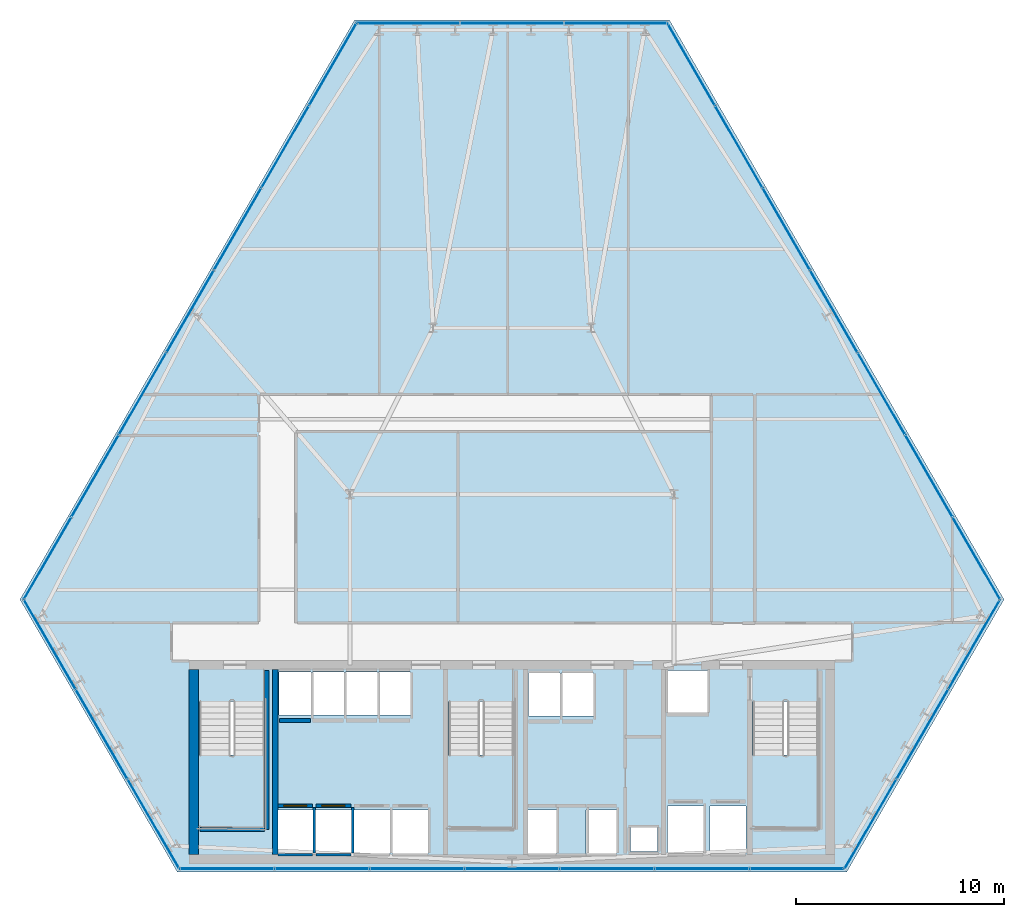
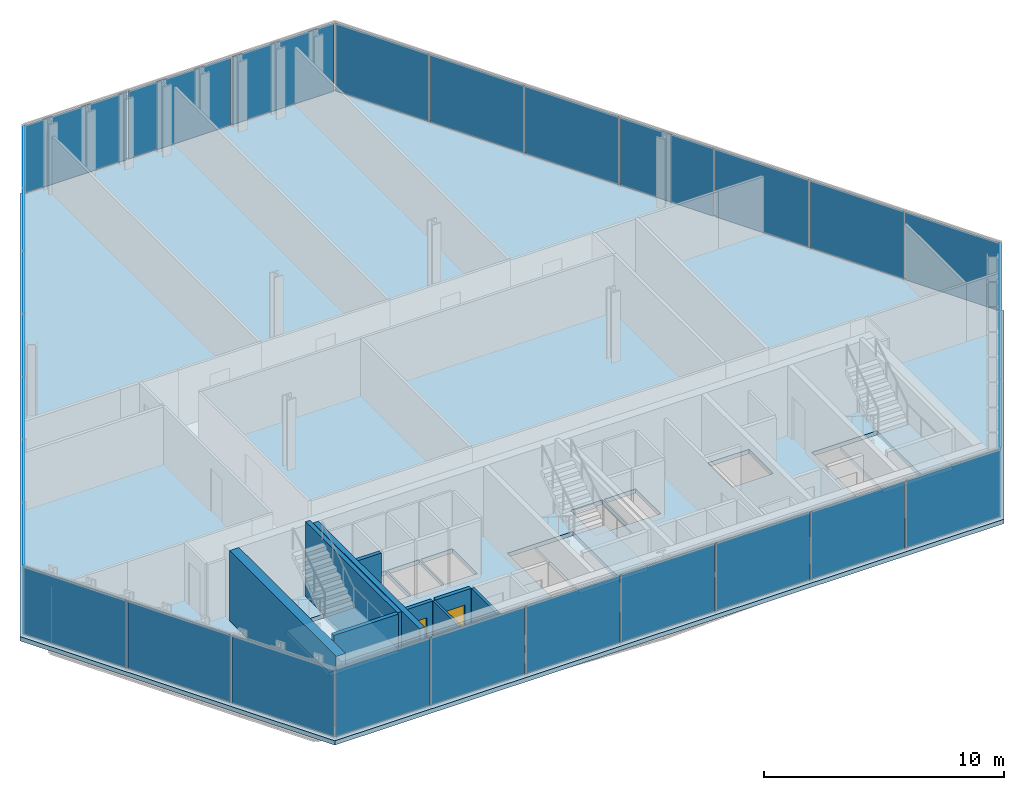
# One storey, part 26 of 32: 30 plates, 11 walls, 4 slabs, 2 doors, 2 openings, 9 elements without a shape of their own.
"""IFC4 building model written with IfcOpenShell, lengths in metres."""

from ifc_helpers import new_model, si_unit, direction, frame, frame_2d, origin, origin_2d, place, context, subcontext, project, spatial, polyline, rectangle, outline, extrude, material, layer, layer_set, type_object, element, fill, aggregate, save


model = new_model("IFC4")

# Units and contexts
model_context = context("Model", 3, precision=1e-05, world=origin(), true_north=direction((0.0, 1.0)))
body_context = subcontext(model_context, "Body", "Model", "MODEL_VIEW")
ifc_project = project(units=[si_unit("LENGTHUNIT", "METRE"), si_unit("AREAUNIT", "SQUARE_METRE"), si_unit("VOLUMEUNIT", "CUBIC_METRE"), si_unit("PLANEANGLEUNIT", "RADIAN"), si_unit("MASSUNIT", "GRAM", prefix="KILO")], contexts=[model_context])

# Site, building, storey
site_placement = place(None, origin())
site = spatial("IfcSite", under=ifc_project, at=site_placement, CompositionType="ELEMENT")
building_placement = place(site_placement, origin())
building = spatial("IfcBuilding", under=site, at=building_placement, Name="Ndaravel Arena Tower", CompositionType="ELEMENT")
storey_placement = place(building_placement, frame((0.0, 0.0, 74.0)))
storey = spatial("IfcBuildingStorey", under=building, at=storey_placement, Name="L16", CompositionType="ELEMENT", Elevation=74.0)

# Curtain wall, plate
ifc_material_1 = material(Name="Aluminium", Category="aluminium")
ifc_layer_1 = layer(ifc_material_1, 0.179931640625)
ifc_layer_set_1 = layer_set([ifc_layer_1], Name="Aluminium")
curtain_wall_type_1 = type_object("IfcCurtainWallType", Name="CW-SYS-01", PredefinedType="NOTDEFINED", material=ifc_layer_set_1)
curtain_wall_1_placement = place(storey_placement, origin())
curtain_wall_1 = element("IfcCurtainWall", 1, at=curtain_wall_1_placement, inside=storey, type_object=curtain_wall_type_1, Name="L16 Faceted Crystal Curtain Wall CW-L16-E02", PredefinedType="NOTDEFINED")
ifc_material_2 = material(Name="Glazing", Category="glass")
ifc_layer_2 = layer(ifc_material_2, 0.035888671875)
ifc_layer_set_2 = layer_set([ifc_layer_2], Name="Glazing")
plate_type_1 = type_object("IfcPlateType", Name="PLT-CW-OPVENT", PredefinedType="CURTAIN_PANEL", material=ifc_layer_set_2)
plate_1_placement = place(storey_placement, frame((61.758056640625, 11.6435546875, 0.06005859375), z_axis=(0.0, 0.0, 1.0), x_axis=(0.5, 0.866025403784, 0.0)))
plate_1 = element("IfcPlate", 2, at=plate_1_placement, type_object=plate_type_1, Name="CW-L16-E02 Operable Vent Sash Panel 02", PredefinedType="CURTAIN_PANEL", context=body_context, shape_type="SweptSolid", body=[
    extrude(rectangle(XDim=4.910888671875, YDim=0.035888671875, at=origin_2d()), origin(), (0.0, 0.0, 1.0), 3.4599609375),
])

curtain_wall_2_placement = place(storey_placement, origin())
curtain_wall_2 = element("IfcCurtainWall", 3, at=curtain_wall_2_placement, inside=storey, type_object=curtain_wall_type_1, Name="L16 Faceted Crystal Curtain Wall CW-L16-E04", PredefinedType="NOTDEFINED")
plate_2_placement = place(storey_placement, frame((42.0, 45.865478515625, 0.06005859375), z_axis=(0.0, 0.0, 1.0), x_axis=(-1.0, 0.0, 0.0)))
plate_2 = element("IfcPlate", 4, at=plate_2_placement, type_object=plate_type_1, Name="CW-L16-E04 Operable Vent Sash Panel 02", PredefinedType="CURTAIN_PANEL", context=body_context, shape_type="SweptSolid", body=[
    extrude(rectangle(XDim=4.9111328125, YDim=0.035888671875, at=origin_2d()), origin(), (0.0, 0.0, 1.0), 3.4599609375),
])

ifc_material_3 = material(Name="Aluminium", Category="aluminium")
ifc_layer_3 = layer(ifc_material_3, 0.179931640625)
ifc_layer_set_3 = layer_set([ifc_layer_3], Name="Aluminium")
curtain_wall_type_2 = type_object("IfcCurtainWallType", Name="CW-SYS-02", PredefinedType="NOTDEFINED", material=ifc_layer_set_3)
curtain_wall_3_placement = place(storey_placement, origin())
curtain_wall_3 = element("IfcCurtainWall", 5, at=curtain_wall_3_placement, inside=storey, type_object=curtain_wall_type_2, Name="L16 Faceted Crystal Curtain Wall CW-L16-E06", PredefinedType="NOTDEFINED")
plate_3_placement = place(storey_placement, frame((22.241943359375, 11.6435546875, 0.06005859375), z_axis=(0.0, 0.0, 1.0), x_axis=(0.5, -0.866025403784, 0.0)))
plate_3 = element("IfcPlate", 6, at=plate_3_placement, type_object=plate_type_1, Name="CW-L16-E06 Operable Vent Sash Panel 02", PredefinedType="CURTAIN_PANEL", context=body_context, shape_type="SweptSolid", body=[
    extrude(rectangle(XDim=4.910888671875, YDim=0.035888671875, at=origin_2d()), origin(), (0.0, 0.0, 1.0), 3.4599609375),
])

# Plate
ifc_material_4 = material(Name="Glazing", Category="glass")
ifc_layer_4 = layer(ifc_material_4, 0.031982421875)
ifc_layer_set_4 = layer_set([ifc_layer_4], Name="Glazing")
plate_type_2 = type_object("IfcPlateType", Name="PLT-GLZ-FRIT35", PredefinedType="CURTAIN_PANEL", material=ifc_layer_set_4)
plate_4_placement = place(storey_placement, frame((59.2626953125, 7.3212890625, 0.06005859375), z_axis=(0.0, 0.0, 1.0), x_axis=(0.5, 0.866025403784, 0.0)))
plate_4 = element("IfcPlate", 7, at=plate_4_placement, type_object=plate_type_2, Name="CW-L16-E02 Vision Glass Panel 01", PredefinedType="CURTAIN_PANEL", context=body_context, shape_type="SweptSolid", body=[
    extrude(rectangle(XDim=4.910888671875, YDim=0.035888671875, at=origin_2d()), origin(), (0.0, 0.0, 1.0), 3.4599609375),
])

plate_5_placement = place(storey_placement, frame((64.253662109375, 15.9658203125, 0.06005859375), z_axis=(0.0, 0.0, 1.0), x_axis=(0.5, 0.866025403784, 0.0)))
plate_5 = element("IfcPlate", 8, at=plate_5_placement, type_object=plate_type_2, Name="CW-L16-E02 Vision Glass Panel 03", PredefinedType="CURTAIN_PANEL", context=body_context, shape_type="SweptSolid", body=[
    extrude(rectangle(XDim=4.910888671875, YDim=0.035888671875, at=origin_2d()), origin(), (0.0, 0.0, 1.0), 3.4599609375),
])

aggregate(curtain_wall_1, [plate_4, plate_1, plate_5])

plate_6_placement = place(storey_placement, frame((46.9912109375, 45.865478515625, 0.06005859375), z_axis=(0.0, 0.0, 1.0), x_axis=(-1.0, 0.0, 0.0)))
plate_6 = element("IfcPlate", 9, at=plate_6_placement, type_object=plate_type_2, Name="CW-L16-E04 Vision Glass Panel 01", PredefinedType="CURTAIN_PANEL", context=body_context, shape_type="SweptSolid", body=[
    extrude(rectangle(XDim=4.9111328125, YDim=0.035888671875, at=origin_2d()), origin(), (0.0, 0.0, 1.0), 3.4599609375),
])

plate_7_placement = place(storey_placement, frame((37.0087890625, 45.865478515625, 0.06005859375), z_axis=(0.0, 0.0, 1.0), x_axis=(-1.0, 0.0, 0.0)))
plate_7 = element("IfcPlate", 10, at=plate_7_placement, type_object=plate_type_2, Name="CW-L16-E04 Vision Glass Panel 03", PredefinedType="CURTAIN_PANEL", context=body_context, shape_type="SweptSolid", body=[
    extrude(rectangle(XDim=4.9111328125, YDim=0.035888671875, at=origin_2d()), origin(), (0.0, 0.0, 1.0), 3.4599609375),
])

aggregate(curtain_wall_2, [plate_6, plate_2, plate_7])

ifc_material_5 = material(Name="Glazing", Category="glass")
ifc_layer_5 = layer(ifc_material_5, 0.035888671875)
ifc_layer_set_5 = layer_set([ifc_layer_5], Name="Glazing")
plate_type_3 = type_object("IfcPlateType", Name="PLT-GLZ-FRIT55", PredefinedType="CURTAIN_PANEL", material=ifc_layer_set_5)
plate_8_placement = place(storey_placement, frame((19.746337890625, 15.9658203125, 0.06005859375), z_axis=(0.0, 0.0, 1.0), x_axis=(0.5, -0.866025403784, 0.0)))
plate_8 = element("IfcPlate", 11, at=plate_8_placement, type_object=plate_type_3, Name="CW-L16-E06 Vision Glass Panel 01", PredefinedType="CURTAIN_PANEL", context=body_context, shape_type="SweptSolid", body=[
    extrude(rectangle(XDim=4.910888671875, YDim=0.035888671875, at=origin_2d()), origin(), (0.0, 0.0, 1.0), 3.4599609375),
])

plate_9_placement = place(storey_placement, frame((24.7373046875, 7.3212890625, 0.06005859375), z_axis=(0.0, 0.0, 1.0), x_axis=(0.5, -0.866025403784, 0.0)))
plate_9 = element("IfcPlate", 12, at=plate_9_placement, type_object=plate_type_3, Name="CW-L16-E06 Vision Glass Panel 03", PredefinedType="CURTAIN_PANEL", context=body_context, shape_type="SweptSolid", body=[
    extrude(rectangle(XDim=4.910888671875, YDim=0.035888671875, at=origin_2d()), origin(), (0.0, 0.0, 1.0), 3.4599609375),
])

aggregate(curtain_wall_3, [plate_8, plate_3, plate_9])

# Curtain wall, plates
ifc_material_6 = material(Name="Aluminium", Category="aluminium")
ifc_layer_6 = layer(ifc_material_6, 0.179931640625)
ifc_layer_set_6 = layer_set([ifc_layer_6], Name="Aluminium")
curtain_wall_type_3 = type_object("IfcCurtainWallType", Name="CW-SYS-03", PredefinedType="NOTDEFINED", material=ifc_layer_set_6)
curtain_wall_4_placement = place(storey_placement, origin())
curtain_wall_4 = element("IfcCurtainWall", 13, at=curtain_wall_4_placement, inside=storey, type_object=curtain_wall_type_3, Name="L16 Faceted Crystal Curtain Wall CW-L16-E01", PredefinedType="NOTDEFINED")
ifc_material_7 = material(Name="Glazing", Category="glass")
ifc_layer_7 = layer(ifc_material_7, 0.0400390625)
ifc_layer_set_7 = layer_set([ifc_layer_7], Name="Glazing")
plate_type_4 = type_object("IfcPlateType", Name="PLT-GLZ-LOWIRON", PredefinedType="CURTAIN_PANEL", material=ifc_layer_set_7)
plate_10_placement = place(storey_placement, frame((28.27294921875, 5.159912109375, 0.06005859375), z_axis=(0.0, 0.0, 1.0), x_axis=(1.0, 0.0, 0.0)))
plate_10 = element("IfcPlate", 14, at=plate_10_placement, type_object=plate_type_4, Name="CW-L16-E01 Vision Glass Panel 01", PredefinedType="CURTAIN_PANEL", context=body_context, shape_type="SweptSolid", body=[
    extrude(rectangle(XDim=4.49560546875, YDim=0.035888671875, at=origin_2d()), origin(), (0.0, 0.0, 1.0), 3.4599609375),
])
plate_11_placement = place(storey_placement, frame((32.8486328125, 5.159912109375, 0.06005859375), z_axis=(0.0, 0.0, 1.0), x_axis=(1.0, 0.0, 0.0)))
plate_11 = element("IfcPlate", 15, at=plate_11_placement, type_object=plate_type_4, Name="CW-L16-E01 Vision Glass Panel 02", PredefinedType="CURTAIN_PANEL", context=body_context, shape_type="SweptSolid", body=[
    extrude(rectangle(XDim=4.49560546875, YDim=0.035888671875, at=origin_2d()), origin(), (0.0, 0.0, 1.0), 3.4599609375),
])
plate_12_placement = place(storey_placement, frame((37.42431640625, 5.159912109375, 0.06005859375), z_axis=(0.0, 0.0, 1.0), x_axis=(1.0, 0.0, 0.0)))
plate_12 = element("IfcPlate", 16, at=plate_12_placement, type_object=plate_type_4, Name="CW-L16-E01 Vision Glass Panel 03", PredefinedType="CURTAIN_PANEL", context=body_context, shape_type="SweptSolid", body=[
    extrude(rectangle(XDim=4.49560546875, YDim=0.035888671875, at=origin_2d()), origin(), (0.0, 0.0, 1.0), 3.4599609375),
])
plate_13_placement = place(storey_placement, frame((42.0, 5.159912109375, 0.06005859375), z_axis=(0.0, 0.0, 1.0), x_axis=(1.0, 0.0, 0.0)))
plate_13 = element("IfcPlate", 17, at=plate_13_placement, type_object=plate_type_4, Name="CW-L16-E01 Vision Glass Panel 04", PredefinedType="CURTAIN_PANEL", context=body_context, shape_type="SweptSolid", body=[
    extrude(rectangle(XDim=4.49560546875, YDim=0.035888671875, at=origin_2d()), origin(), (0.0, 0.0, 1.0), 3.4599609375),
])
plate_14_placement = place(storey_placement, frame((46.57568359375, 5.159912109375, 0.06005859375), z_axis=(0.0, 0.0, 1.0), x_axis=(1.0, 0.0, 0.0)))
plate_14 = element("IfcPlate", 18, at=plate_14_placement, type_object=plate_type_4, Name="CW-L16-E01 Vision Glass Panel 05", PredefinedType="CURTAIN_PANEL", context=body_context, shape_type="SweptSolid", body=[
    extrude(rectangle(XDim=4.49560546875, YDim=0.035888671875, at=origin_2d()), origin(), (0.0, 0.0, 1.0), 3.4599609375),
])
plate_15_placement = place(storey_placement, frame((51.1513671875, 5.159912109375, 0.06005859375), z_axis=(0.0, 0.0, 1.0), x_axis=(1.0, 0.0, 0.0)))
plate_15 = element("IfcPlate", 19, at=plate_15_placement, type_object=plate_type_4, Name="CW-L16-E01 Vision Glass Panel 06", PredefinedType="CURTAIN_PANEL", context=body_context, shape_type="SweptSolid", body=[
    extrude(rectangle(XDim=4.49560546875, YDim=0.035888671875, at=origin_2d()), origin(), (0.0, 0.0, 1.0), 3.4599609375),
])
plate_16_placement = place(storey_placement, frame((55.72705078125, 5.159912109375, 0.06005859375), z_axis=(0.0, 0.0, 1.0), x_axis=(1.0, 0.0, 0.0)))
plate_16 = element("IfcPlate", 20, at=plate_16_placement, type_object=plate_type_4, Name="CW-L16-E01 Vision Glass Panel 07", PredefinedType="CURTAIN_PANEL", context=body_context, shape_type="SweptSolid", body=[
    extrude(rectangle(XDim=4.49560546875, YDim=0.035888671875, at=origin_2d()), origin(), (0.0, 0.0, 1.0), 3.4599609375),
])
aggregate(curtain_wall_4, [plate_10, plate_11, plate_12, plate_13, plate_14, plate_15, plate_16])

curtain_wall_5_placement = place(storey_placement, origin())
curtain_wall_5 = element("IfcCurtainWall", 21, at=curtain_wall_5_placement, inside=storey, type_object=curtain_wall_type_3, Name="L16 Faceted Crystal Curtain Wall CW-L16-E03", PredefinedType="NOTDEFINED")
plate_17_placement = place(storey_placement, frame((64.357421875, 20.1083984375, 0.06005859375), z_axis=(0.0, 0.0, 1.0), x_axis=(-0.5, 0.866025403784, 0.0)))
plate_17 = element("IfcPlate", 22, at=plate_17_placement, type_object=plate_type_4, Name="CW-L16-E03 Vision Glass Panel 01", PredefinedType="CURTAIN_PANEL", context=body_context, shape_type="SweptSolid", body=[
    extrude(rectangle(XDim=4.49560546875, YDim=0.035888671875, at=origin_2d()), origin(), (0.0, 0.0, 1.0), 3.4599609375),
])
plate_18_placement = place(storey_placement, frame((62.069580078125, 24.071044921875, 0.06005859375), z_axis=(0.0, 0.0, 1.0), x_axis=(-0.5, 0.866025403784, 0.0)))
plate_18 = element("IfcPlate", 23, at=plate_18_placement, type_object=plate_type_4, Name="CW-L16-E03 Vision Glass Panel 02", PredefinedType="CURTAIN_PANEL", context=body_context, shape_type="SweptSolid", body=[
    extrude(rectangle(XDim=4.49560546875, YDim=0.035888671875, at=origin_2d()), origin(), (0.0, 0.0, 1.0), 3.4599609375),
])
plate_19_placement = place(storey_placement, frame((59.78173828125, 28.03369140625, 0.06005859375), z_axis=(0.0, 0.0, 1.0), x_axis=(-0.5, 0.866025403784, 0.0)))
plate_19 = element("IfcPlate", 24, at=plate_19_placement, type_object=plate_type_4, Name="CW-L16-E03 Vision Glass Panel 03", PredefinedType="CURTAIN_PANEL", context=body_context, shape_type="SweptSolid", body=[
    extrude(rectangle(XDim=4.49560546875, YDim=0.035888671875, at=origin_2d()), origin(), (0.0, 0.0, 1.0), 3.4599609375),
])
plate_20_placement = place(storey_placement, frame((57.493896484375, 31.996337890625, 0.06005859375), z_axis=(0.0, 0.0, 1.0), x_axis=(-0.5, 0.866025403784, 0.0)))
plate_20 = element("IfcPlate", 25, at=plate_20_placement, type_object=plate_type_4, Name="CW-L16-E03 Vision Glass Panel 04", PredefinedType="CURTAIN_PANEL", context=body_context, shape_type="SweptSolid", body=[
    extrude(rectangle(XDim=4.49560546875, YDim=0.035888671875, at=origin_2d()), origin(), (0.0, 0.0, 1.0), 3.4599609375),
])
plate_21_placement = place(storey_placement, frame((55.206298828125, 35.958984375, 0.06005859375), z_axis=(0.0, 0.0, 1.0), x_axis=(-0.5, 0.866025403784, 0.0)))
plate_21 = element("IfcPlate", 26, at=plate_21_placement, type_object=plate_type_4, Name="CW-L16-E03 Vision Glass Panel 05", PredefinedType="CURTAIN_PANEL", context=body_context, shape_type="SweptSolid", body=[
    extrude(rectangle(XDim=4.49560546875, YDim=0.035888671875, at=origin_2d()), origin(), (0.0, 0.0, 1.0), 3.4599609375),
])
plate_22_placement = place(storey_placement, frame((52.918212890625, 39.921630859375, 0.06005859375), z_axis=(0.0, 0.0, 1.0), x_axis=(-0.5, 0.866025403784, 0.0)))
plate_22 = element("IfcPlate", 27, at=plate_22_placement, type_object=plate_type_4, Name="CW-L16-E03 Vision Glass Panel 06", PredefinedType="CURTAIN_PANEL", context=body_context, shape_type="SweptSolid", body=[
    extrude(rectangle(XDim=4.49560546875, YDim=0.035888671875, at=origin_2d()), origin(), (0.0, 0.0, 1.0), 3.4599609375),
])
plate_23_placement = place(storey_placement, frame((50.630615234375, 43.88427734375, 0.06005859375), z_axis=(0.0, 0.0, 1.0), x_axis=(-0.5, 0.866025403784, 0.0)))
plate_23 = element("IfcPlate", 28, at=plate_23_placement, type_object=plate_type_4, Name="CW-L16-E03 Vision Glass Panel 07", PredefinedType="CURTAIN_PANEL", context=body_context, shape_type="SweptSolid", body=[
    extrude(rectangle(XDim=4.49560546875, YDim=0.035888671875, at=origin_2d()), origin(), (0.0, 0.0, 1.0), 3.4599609375),
])
aggregate(curtain_wall_5, [plate_17, plate_18, plate_19, plate_20, plate_21, plate_22, plate_23])

curtain_wall_6_placement = place(storey_placement, origin())
curtain_wall_6 = element("IfcCurtainWall", 29, at=curtain_wall_6_placement, inside=storey, type_object=curtain_wall_type_3, Name="L16 Faceted Crystal Curtain Wall CW-L16-E05", PredefinedType="NOTDEFINED")
plate_24_placement = place(storey_placement, frame((33.369384765625, 43.88427734375, 0.06005859375), z_axis=(0.0, 0.0, 1.0), x_axis=(-0.5, -0.866025403784, 0.0)))
plate_24 = element("IfcPlate", 30, at=plate_24_placement, type_object=plate_type_4, Name="CW-L16-E05 Vision Glass Panel 01", PredefinedType="CURTAIN_PANEL", context=body_context, shape_type="SweptSolid", body=[
    extrude(rectangle(XDim=4.49560546875, YDim=0.035888671875, at=origin_2d()), origin(), (0.0, 0.0, 1.0), 3.4599609375),
])
plate_25_placement = place(storey_placement, frame((31.081787109375, 39.921630859375, 0.06005859375), z_axis=(0.0, 0.0, 1.0), x_axis=(-0.5, -0.866025403784, 0.0)))
plate_25 = element("IfcPlate", 31, at=plate_25_placement, type_object=plate_type_4, Name="CW-L16-E05 Vision Glass Panel 02", PredefinedType="CURTAIN_PANEL", context=body_context, shape_type="SweptSolid", body=[
    extrude(rectangle(XDim=4.49560546875, YDim=0.035888671875, at=origin_2d()), origin(), (0.0, 0.0, 1.0), 3.4599609375),
])
plate_26_placement = place(storey_placement, frame((28.793701171875, 35.958984375, 0.06005859375), z_axis=(0.0, 0.0, 1.0), x_axis=(-0.5, -0.866025403784, 0.0)))
plate_26 = element("IfcPlate", 32, at=plate_26_placement, type_object=plate_type_4, Name="CW-L16-E05 Vision Glass Panel 03", PredefinedType="CURTAIN_PANEL", context=body_context, shape_type="SweptSolid", body=[
    extrude(rectangle(XDim=4.49560546875, YDim=0.035888671875, at=origin_2d()), origin(), (0.0, 0.0, 1.0), 3.4599609375),
])
plate_27_placement = place(storey_placement, frame((26.506103515625, 31.996337890625, 0.06005859375), z_axis=(0.0, 0.0, 1.0), x_axis=(-0.5, -0.866025403784, 0.0)))
plate_27 = element("IfcPlate", 33, at=plate_27_placement, type_object=plate_type_4, Name="CW-L16-E05 Vision Glass Panel 04", PredefinedType="CURTAIN_PANEL", context=body_context, shape_type="SweptSolid", body=[
    extrude(rectangle(XDim=4.49560546875, YDim=0.035888671875, at=origin_2d()), origin(), (0.0, 0.0, 1.0), 3.4599609375),
])
plate_28_placement = place(storey_placement, frame((24.21826171875, 28.03369140625, 0.06005859375), z_axis=(0.0, 0.0, 1.0), x_axis=(-0.5, -0.866025403784, 0.0)))
plate_28 = element("IfcPlate", 34, at=plate_28_placement, type_object=plate_type_4, Name="CW-L16-E05 Vision Glass Panel 05", PredefinedType="CURTAIN_PANEL", context=body_context, shape_type="SweptSolid", body=[
    extrude(rectangle(XDim=4.49560546875, YDim=0.035888671875, at=origin_2d()), origin(), (0.0, 0.0, 1.0), 3.4599609375),
])
plate_29_placement = place(storey_placement, frame((21.930419921875, 24.071044921875, 0.06005859375), z_axis=(0.0, 0.0, 1.0), x_axis=(-0.5, -0.866025403784, 0.0)))
plate_29 = element("IfcPlate", 35, at=plate_29_placement, type_object=plate_type_4, Name="CW-L16-E05 Vision Glass Panel 06", PredefinedType="CURTAIN_PANEL", context=body_context, shape_type="SweptSolid", body=[
    extrude(rectangle(XDim=4.49560546875, YDim=0.035888671875, at=origin_2d()), origin(), (0.0, 0.0, 1.0), 3.4599609375),
])
plate_30_placement = place(storey_placement, frame((19.642578125, 20.1083984375, 0.06005859375), z_axis=(0.0, 0.0, 1.0), x_axis=(-0.5, -0.866025403784, 0.0)))
plate_30 = element("IfcPlate", 36, at=plate_30_placement, type_object=plate_type_4, Name="CW-L16-E05 Vision Glass Panel 07", PredefinedType="CURTAIN_PANEL", context=body_context, shape_type="SweptSolid", body=[
    extrude(rectangle(XDim=4.49560546875, YDim=0.035888671875, at=origin_2d()), origin(), (0.0, 0.0, 1.0), 3.4599609375),
])
aggregate(curtain_wall_6, [plate_24, plate_25, plate_26, plate_27, plate_28, plate_29, plate_30])

# Stair, slab
ifc_material_8 = material(Name="Concrete C40/50", Category="concrete")
stair_type = type_object("IfcStairType", Name="STAIR-CORE-HT", PredefinedType="HALF_TURN_STAIR", material=ifc_material_8)
stair_1_placement = place(storey_placement, origin())
stair_1 = element("IfcStair", 37, at=stair_1_placement, inside=storey, type_object=stair_type, Name="L16 ST-1", PredefinedType="HALF_TURN_STAIR")
ifc_material_9 = material(Name="Concrete C40/50", Category="concrete")
ifc_layer_8 = layer(ifc_material_9, 0.199951171875)
ifc_layer_set_8 = layer_set([ifc_layer_8], Name="Concrete C40/50")
slab_type_1 = type_object("IfcSlabType", Name="SLAB-STAIR-LANDING", PredefinedType="LANDING", material=ifc_layer_set_8)
slab_1_placement = place(storey_placement, frame((0.0, 0.0, 1.699951171875)))
slab_1 = element("IfcSlab", 38, at=slab_1_placement, type_object=slab_type_1, Name="ST-1 landing 1", PredefinedType="LANDING", context=body_context, shape_type="SweptSolid", body=[
    extrude(outline(polyline([(26.81005859375, 10.6298828125), (26.81005859375, 7.070068359375), (30.169921875, 7.070068359375), (30.169921875, 10.6298828125), (26.81005859375, 10.6298828125)])), origin(), (0.0, 0.0, 1.0), 0.199951171875),
])
aggregate(stair_1, [slab_1])

stair_2_placement = place(storey_placement, origin())
stair_2 = element("IfcStair", 39, at=stair_2_placement, inside=storey, type_object=stair_type, Name="L16 ST-2", PredefinedType="HALF_TURN_STAIR")
slab_2_placement = place(storey_placement, frame((0.0, 0.0, 1.699951171875)))
slab_2 = element("IfcSlab", 40, at=slab_2_placement, type_object=slab_type_1, Name="ST-2 landing 1", PredefinedType="LANDING", context=body_context, shape_type="SweptSolid", body=[
    extrude(outline(polyline([(38.81005859375, 10.6298828125), (38.81005859375, 7.070068359375), (42.169921875, 7.070068359375), (42.169921875, 10.6298828125), (38.81005859375, 10.6298828125)])), origin(), (0.0, 0.0, 1.0), 0.199951171875),
])
aggregate(stair_2, [slab_2])

stair_3_placement = place(storey_placement, origin())
stair_3 = element("IfcStair", 41, at=stair_3_placement, inside=storey, type_object=stair_type, Name="L16 ST-3", PredefinedType="HALF_TURN_STAIR")
slab_3_placement = place(storey_placement, frame((0.0, 0.0, 1.699951171875)))
slab_3 = element("IfcSlab", 42, at=slab_3_placement, type_object=slab_type_1, Name="ST-3 landing 1", PredefinedType="LANDING", context=body_context, shape_type="SweptSolid", body=[
    extrude(outline(polyline([(53.4599609375, 10.6298828125), (53.4599609375, 7.070068359375), (56.820068359375, 7.070068359375), (56.820068359375, 10.6298828125), (53.4599609375, 10.6298828125)])), origin(), (0.0, 0.0, 1.0), 0.199951171875),
])
aggregate(stair_3, [slab_3])

# Slab
ifc_material_10 = material(Name="Concrete C40/50", Category="concrete")
ifc_layer_9 = layer(ifc_material_10, 0.219970703125)
ifc_layer_set_9 = layer_set([ifc_layer_9], Name="Concrete C40/50")
slab_type_2 = type_object("IfcSlabType", Name="SLAB-TWR-220", PredefinedType="FLOOR", material=ifc_layer_set_9)
slab_4_placement = place(storey_placement, frame((0.0, 0.0, -0.219970703125)))
element("IfcSlab", 43, at=slab_4_placement, inside=storey, type_object=slab_type_2, Name="L16 Structural Floor Slab", PredefinedType="FLOOR", context=body_context, shape_type="SweptSolid", body=[
    extrude(outline(polyline([(18.313720703125, 18.127197265625), (25.892822265625, 5.0), (58.107177734375, 5.0), (65.686279296875, 18.127197265625), (49.5791015625, 46.025634765625), (34.4208984375, 46.025634765625), (18.313720703125, 18.127197265625)]), holes=[polyline([(26.949951171875, 13.215087890625), (26.949951171875, 7.14990234375), (30.090087890625, 7.14990234375), (30.090087890625, 13.215087890625), (26.949951171875, 13.215087890625)]), polyline([(38.949951171875, 13.215087890625), (38.949951171875, 7.14990234375), (42.090087890625, 7.14990234375), (42.090087890625, 13.215087890625), (38.949951171875, 13.215087890625)]), polyline([(53.60009765625, 13.215087890625), (53.60009765625, 7.14990234375), (56.739990234375, 7.14990234375), (56.739990234375, 13.215087890625), (53.60009765625, 13.215087890625)]), polyline([(30.68505859375, 5.909912109375), (32.4150390625, 5.909912109375), (32.4150390625, 7.989990234375), (30.68505859375, 7.989990234375), (30.68505859375, 5.909912109375)]), polyline([(32.534912109375, 5.909912109375), (34.264892578125, 5.909912109375), (34.264892578125, 7.989990234375), (32.534912109375, 7.989990234375), (32.534912109375, 5.909912109375)]), polyline([(34.385009765625, 5.909912109375), (36.114990234375, 5.909912109375), (36.114990234375, 7.989990234375), (34.385009765625, 7.989990234375), (34.385009765625, 5.909912109375)]), polyline([(36.235107421875, 5.909912109375), (37.965087890625, 5.909912109375), (37.965087890625, 7.989990234375), (36.235107421875, 7.989990234375), (36.235107421875, 5.909912109375)]), polyline([(30.784912109375, 12.56005859375), (32.31494140625, 12.56005859375), (32.31494140625, 14.639892578125), (30.784912109375, 14.639892578125), (30.784912109375, 12.56005859375)]), polyline([(32.385009765625, 12.56005859375), (33.9150390625, 12.56005859375), (33.9150390625, 14.639892578125), (32.385009765625, 14.639892578125), (32.385009765625, 12.56005859375)]), polyline([(33.985107421875, 12.56005859375), (35.514892578125, 12.56005859375), (35.514892578125, 14.639892578125), (33.985107421875, 14.639892578125), (33.985107421875, 12.56005859375)]), polyline([(35.5849609375, 12.56005859375), (37.114990234375, 12.56005859375), (37.114990234375, 14.639892578125), (35.5849609375, 14.639892578125), (35.5849609375, 12.56005859375)]), polyline([(42.659912109375, 5.909912109375), (44.139892578125, 5.909912109375), (44.139892578125, 7.989990234375), (42.659912109375, 7.989990234375), (42.659912109375, 5.909912109375)]), polyline([(45.56005859375, 5.909912109375), (47.0400390625, 5.909912109375), (47.0400390625, 7.989990234375), (45.56005859375, 7.989990234375), (45.56005859375, 5.909912109375)]), polyline([(42.784912109375, 12.510009765625), (44.31494140625, 12.510009765625), (44.31494140625, 14.590087890625), (42.784912109375, 14.590087890625), (42.784912109375, 12.510009765625)]), polyline([(44.385009765625, 12.510009765625), (45.9150390625, 12.510009765625), (45.9150390625, 14.590087890625), (44.385009765625, 14.590087890625), (44.385009765625, 12.510009765625)]), polyline([(49.485107421875, 5.909912109375), (51.215087890625, 5.909912109375), (51.215087890625, 8.18994140625), (49.485107421875, 8.18994140625), (49.485107421875, 5.909912109375)]), polyline([(51.534912109375, 5.909912109375), (53.264892578125, 5.909912109375), (53.264892578125, 8.18994140625), (51.534912109375, 8.18994140625), (51.534912109375, 5.909912109375)]), polyline([(49.4599609375, 12.68505859375), (51.43994140625, 12.68505859375), (51.43994140625, 14.715087890625), (49.4599609375, 14.715087890625), (49.4599609375, 12.68505859375)]), polyline([(47.699951171875, 6.0), (49.0, 6.0), (49.0, 7.139892578125), (47.699951171875, 7.139892578125), (47.699951171875, 6.0)])]), origin(), (0.0, 0.0, 1.0), 0.219970703125),
])

# Walls
ifc_material_11 = material(Name="Concrete C60/75", Category="concrete")
ifc_layer_10 = layer(ifc_material_11, 0.25)
ifc_layer_set_10 = layer_set([ifc_layer_10], Name="Concrete C60/75")
wall_type_1 = type_object("IfcWallType", Name="WALL-CORE-250", PredefinedType="SOLIDWALL", material=ifc_layer_set_10)
wall_1_placement = place(storey_placement, frame((30.60009765625, 5.85009765625, 0.0), z_axis=(0.0, 0.0, 1.0), x_axis=(0.0, 1.0, 0.0)))
element("IfcWall", 44, at=wall_1_placement, inside=storey, type_object=wall_type_1, Name="L16 Core Web Shear Wall 1", PredefinedType="SOLIDWALL", context=body_context, shape_type="SweptSolid", body=[
    extrude(rectangle(XDim=8.89990234375, YDim=0.25, at=frame_2d((4.449951171875, 0.0))), origin(), (0.0, 0.0, 1.0), 3.580078125),
])
ifc_material_12 = material(Name="Concrete C60/75", Category="concrete")
ifc_layer_11 = layer(ifc_material_12, 0.449951171875)
ifc_layer_set_11 = layer_set([ifc_layer_11], Name="Concrete C60/75")
wall_type_2 = type_object("IfcWallType", Name="WALL-CORE-450", PredefinedType="SOLIDWALL", material=ifc_layer_set_11)
wall_2_placement = place(storey_placement, frame((26.675048828125, 5.85009765625, 0.0), z_axis=(0.0, 0.0, 1.0), x_axis=(0.0, 1.0, 0.0)))
element("IfcWall", 45, at=wall_2_placement, inside=storey, type_object=wall_type_2, Name="L16 Core West Shear Wall", PredefinedType="SOLIDWALL", context=body_context, shape_type="SweptSolid", body=[
    extrude(rectangle(XDim=8.89990234375, YDim=0.449951171875, at=frame_2d((4.449951171875, 0.0))), origin(), (0.0, 0.0, 1.0), 3.580078125),
])
ifc_material_13 = material(Name="Concrete C40/50", Category="concrete")
ifc_layer_12 = layer(ifc_material_13, 0.1201171875)
ifc_layer_set_12 = layer_set([ifc_layer_12], Name="Concrete C40/50")
wall_type_3 = type_object("IfcWallType", Name="WALL-SHAFT-120", PredefinedType="SOLIDWALL", material=ifc_layer_set_12)
wall_3_placement = place(storey_placement, frame((30.72998046875, 5.840087890625, 0.0), z_axis=(0.0, 0.0, 1.0), x_axis=(1.0, 0.0, 0.0)))
element("IfcWall", 46, at=wall_3_placement, inside=storey, type_object=wall_type_3, Name="L16 PL-L1 Shaft Rear Wall", PredefinedType="SOLIDWALL", context=body_context, shape_type="SweptSolid", body=[
    extrude(rectangle(XDim=1.6650390625, YDim=0.1201171875, at=frame_2d((0.83251953125, 0.0))), origin(), (0.0, 0.0, 1.0), 2.949951171875),
])
wall_4_placement = place(storey_placement, frame((32.47509765625, 5.929931640625, 0.0), z_axis=(0.0, 0.0, 1.0), x_axis=(0.0, 1.0, 0.0)))
element("IfcWall", 47, at=wall_4_placement, inside=storey, type_object=wall_type_3, Name="L16 PL-L1 Shaft Side R Wall", PredefinedType="SOLIDWALL", context=body_context, shape_type="SweptSolid", body=[
    extrude(rectangle(XDim=2.18017578125, YDim=0.1201171875, at=frame_2d((1.090087890625, 0.0))), origin(), (0.0, 0.0, 1.0), 2.949951171875),
])
wall_5_placement = place(storey_placement, frame((32.554931640625, 5.840087890625, 0.0), z_axis=(0.0, 0.0, 1.0), x_axis=(1.0, 0.0, 0.0)))
element("IfcWall", 48, at=wall_5_placement, inside=storey, type_object=wall_type_3, Name="L16 PL-L2 Shaft Rear Wall", PredefinedType="SOLIDWALL", context=body_context, shape_type="SweptSolid", body=[
    extrude(rectangle(XDim=1.690185546875, YDim=0.1201171875, at=frame_2d((0.84521484375, 0.0))), origin(), (0.0, 0.0, 1.0), 2.949951171875),
])
wall_6_placement = place(storey_placement, frame((34.324951171875, 5.929931640625, 0.0), z_axis=(0.0, 0.0, 1.0), x_axis=(0.0, 1.0, 0.0)))
element("IfcWall", 49, at=wall_6_placement, inside=storey, type_object=wall_type_3, Name="L16 PL-L2 Shaft Side R Wall", PredefinedType="SOLIDWALL", context=body_context, shape_type="SweptSolid", body=[
    extrude(rectangle(XDim=2.18017578125, YDim=0.1201171875, at=frame_2d((1.090087890625, 0.0))), origin(), (0.0, 0.0, 1.0), 2.949951171875),
])
ifc_material_14 = material(Name="Concrete C40/50", Category="concrete")
ifc_layer_13 = layer(ifc_material_14, 0.199951171875)
ifc_layer_set_13 = layer_set([ifc_layer_13], Name="Concrete C40/50")
wall_type_4 = type_object("IfcWallType", Name="WALL-SHAFT-200", PredefinedType="SOLIDWALL", material=ifc_layer_set_13)
wall_7_placement = place(storey_placement, frame((30.18994140625, 14.699951171875, 0.0), z_axis=(0.0, 0.0, 1.0), x_axis=(0.0, -1.0, 0.0)))
element("IfcWall", 50, at=wall_7_placement, inside=storey, type_object=wall_type_4, Name="L16 ST-1 Structural Shaft Wall Right", PredefinedType="SOLIDWALL", context=body_context, shape_type="SweptSolid", body=[
    extrude(rectangle(XDim=7.64990234375, YDim=0.199951171875, at=frame_2d((3.824951171875, 0.0))), origin(), (0.0, 0.0, 1.0), 3.800048828125),
])
wall_8_placement = place(storey_placement, frame((26.969970703125, 7.050048828125, 0.0), z_axis=(0.0, 0.0, 1.0), x_axis=(1.0, 0.0, 0.0)))
element("IfcWall", 51, at=wall_8_placement, inside=storey, type_object=wall_type_4, Name="L16 ST-1 Structural Shaft Wall Far", PredefinedType="SOLIDWALL", context=body_context, shape_type="SweptSolid", body=[
    extrude(rectangle(XDim=3.114990234375, YDim=0.199951171875, at=frame_2d((1.5576171875, 0.0))), origin(), (0.0, 0.0, 1.0), 3.800048828125),
])

# Wall, opening, door
wall_9_placement = place(storey_placement, frame((30.72998046875, 8.199951171875, 0.0), z_axis=(0.0, 0.0, 1.0), x_axis=(1.0, 0.0, 0.0)))
wall_9 = element("IfcWall", 52, at=wall_9_placement, inside=storey, type_object=wall_type_4, Name="L16 PL-L1 Shaft Landing Wall", PredefinedType="SOLIDWALL", context=body_context, shape_type="SweptSolid", body=[
    extrude(rectangle(XDim=1.6650390625, YDim=0.179931640625, at=frame_2d((0.83251953125, 0.0))), origin(), (0.0, 0.0, 1.0), 2.949951171875),
])
opening_1_placement = place(wall_9_placement, frame((0.282470703125, 0.0, 0.0)))
opening_1 = element("IfcOpeningElement", 53, at=opening_1_placement, cuts=wall_9, Name="Opening LD-01", PredefinedType="OPENING", context=body_context, shape_type="SweptSolid", body=[
    extrude(rectangle(XDim=1.10009765625, YDim=2.199951171875, at=frame_2d((0.550048828125, 1.10009765625))), frame((0.0, 0.08984375, 0.0), z_axis=(0.0, -1.0, 0.0), x_axis=(1.0, 0.0, 0.0)), (0.0, 0.0, 1.0), 0.179931640625),
])
ifc_material_15 = material(Name="Steel S355", Category="steel")
door_type = type_object("IfcDoorType", Name="DT-06-LIFT-1100", OperationType="SLIDING_TO_LEFT", PredefinedType="DOOR", material=ifc_material_15)
door_1_placement = place(opening_1_placement, origin())
door_1 = element("IfcDoor", 54, at=door_1_placement, inside=storey, type_object=door_type, Name="L16 Lift PL-L1 Sliding Landing Door", OperationType="SLIDING_TO_LEFT", OverallHeight=2.199951171875, OverallWidth=1.10009765625, PredefinedType="DOOR", context=body_context, shape_type="SweptSolid", body=[
    extrude(rectangle(XDim=1.10009765625, YDim=2.199951171875, at=frame_2d((0.550048828125, 1.10009765625))), frame((0.0, 0.02490234375, 0.0), z_axis=(0.0, -1.0, 0.0), x_axis=(1.0, 0.0, 0.0)), (0.0, 0.0, 1.0), 0.050048828125),
])
fill(opening_1, door_1)

wall_10_placement = place(storey_placement, frame((32.554931640625, 8.199951171875, 0.0), z_axis=(0.0, 0.0, 1.0), x_axis=(1.0, 0.0, 0.0)))
wall_10 = element("IfcWall", 55, at=wall_10_placement, inside=storey, type_object=wall_type_4, Name="L16 PL-L2 Shaft Landing Wall", PredefinedType="SOLIDWALL", context=body_context, shape_type="SweptSolid", body=[
    extrude(rectangle(XDim=1.690185546875, YDim=0.179931640625, at=frame_2d((0.84521484375, 0.0))), origin(), (0.0, 0.0, 1.0), 2.949951171875),
])
opening_2_placement = place(wall_10_placement, frame((0.294921875, 0.0, 0.0)))
opening_2 = element("IfcOpeningElement", 56, at=opening_2_placement, cuts=wall_10, Name="Opening LD-01", PredefinedType="OPENING", context=body_context, shape_type="SweptSolid", body=[
    extrude(rectangle(XDim=1.10009765625, YDim=2.199951171875, at=frame_2d((0.550048828125, 1.10009765625))), frame((0.0, 0.08984375, 0.0), z_axis=(0.0, -1.0, 0.0), x_axis=(1.0, 0.0, 0.0)), (0.0, 0.0, 1.0), 0.179931640625),
])
door_2_placement = place(opening_2_placement, origin())
door_2 = element("IfcDoor", 57, at=door_2_placement, inside=storey, type_object=door_type, Name="L16 Lift PL-L2 Sliding Landing Door", OperationType="SLIDING_TO_LEFT", OverallHeight=2.199951171875, OverallWidth=1.10009765625, PredefinedType="DOOR", context=body_context, shape_type="SweptSolid", body=[
    extrude(rectangle(XDim=1.10009765625, YDim=2.199951171875, at=frame_2d((0.550048828125, 1.10009765625))), frame((0.0, 0.02490234375, 0.0), z_axis=(0.0, -1.0, 0.0), x_axis=(1.0, 0.0, 0.0)), (0.0, 0.0, 1.0), 0.050048828125),
])
fill(opening_2, door_2)

# Wall
wall_11_placement = place(storey_placement, frame((30.804931640625, 12.300048828125, 0.0), z_axis=(0.0, 0.0, 1.0), x_axis=(1.0, 0.0, 0.0)))
element("IfcWall", 58, at=wall_11_placement, inside=storey, type_object=wall_type_4, Name="L16 PL-M1 Shaft Landing Wall", PredefinedType="SOLIDWALL", context=body_context, shape_type="SweptSolid", body=[
    extrude(rectangle(XDim=1.489990234375, YDim=0.179931640625, at=frame_2d((0.7451171875, 0.0))), origin(), (0.0, 0.0, 1.0), 2.949951171875),
])

save(model, "model.ifc")
